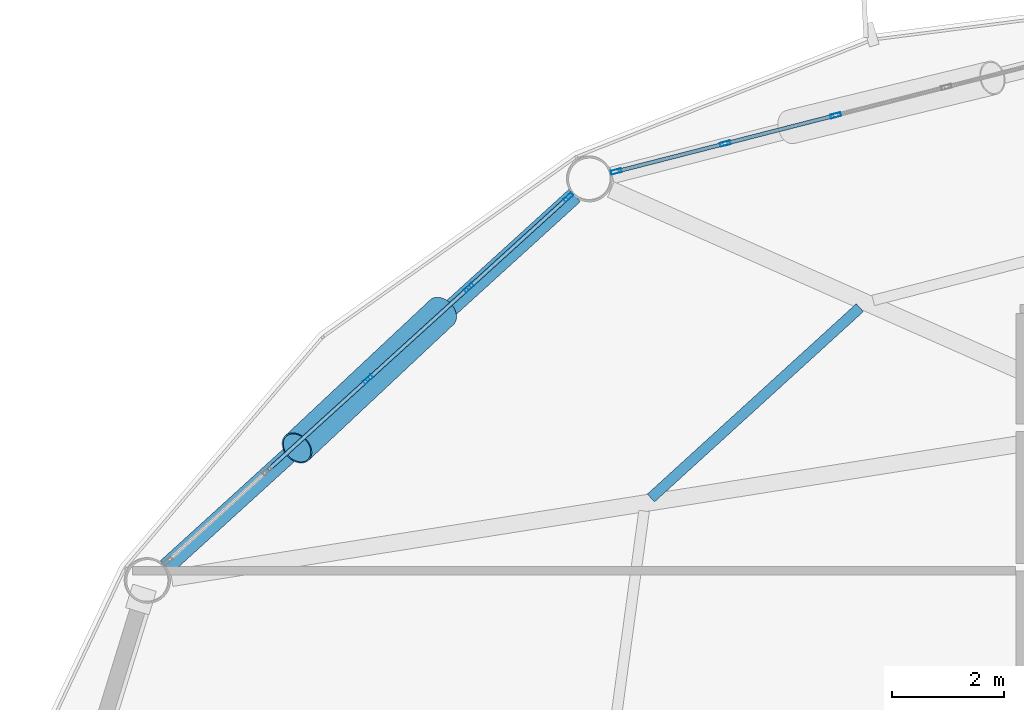
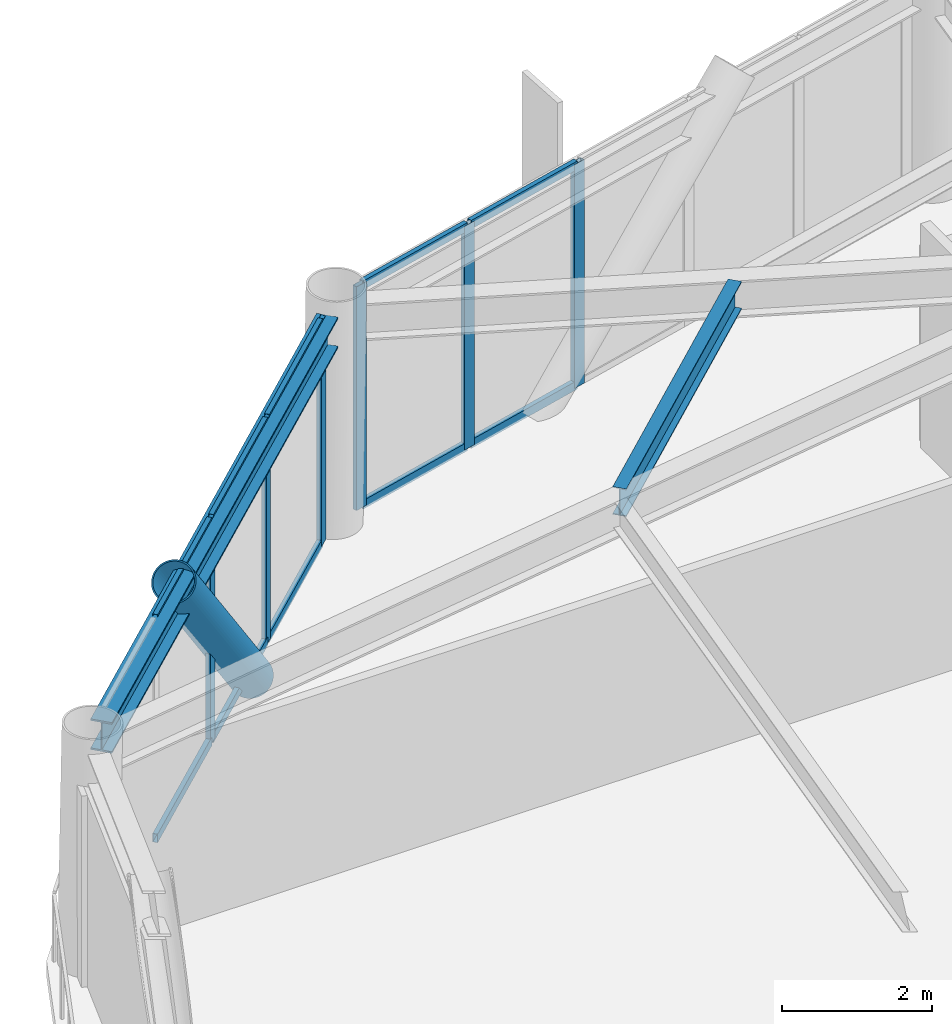
# One storey, part 15 of 25: 17 members, 2 beams, 2 elements without a shape of their own.
"""IFC4 building model written with IfcOpenShell, lengths in metres."""

from ifc_helpers import new_model, si_unit, direction, frame, origin, origin_2d, place, context, subcontext, project, spatial, hollow_rectangle, hollow_circle, i_section, extrude, material, layer, layer_set, material_profile, profile_set, type_object, element, aggregate, save


model = new_model("IFC4")

# Units and contexts
model_context = context("Model", 3, precision=1e-05, world=origin(), true_north=direction((0.0, 1.0)))
body_context = subcontext(model_context, "Body", "Model", "MODEL_VIEW")
ifc_project = project(units=[si_unit("LENGTHUNIT", "METRE"), si_unit("AREAUNIT", "SQUARE_METRE"), si_unit("VOLUMEUNIT", "CUBIC_METRE"), si_unit("PLANEANGLEUNIT", "RADIAN"), si_unit("MASSUNIT", "GRAM", prefix="KILO")], contexts=[model_context])

# Site, building, storey
site_placement = place(None, origin())
site = spatial("IfcSite", under=ifc_project, at=site_placement, CompositionType="ELEMENT")
building_placement = place(site_placement, origin())
building = spatial("IfcBuilding", under=site, at=building_placement, Name="Varnakorn Sky Granary", CompositionType="ELEMENT")
storey_placement = place(building_placement, frame((0.0, 0.0, 91.5)))
storey = spatial("IfcBuildingStorey", under=building, at=storey_placement, Name="L22", CompositionType="ELEMENT", Elevation=91.5)

# Beams
ifc_material_1 = material(Name="Steel S355JR", Category="steel")
ifc_material_profile_1 = material_profile(ifc_material_1, i_section(OverallWidth=0.18994140625, OverallDepth=0.449951171875, WebThickness=0.009521484375, FlangeThickness=0.0146484375, at=origin_2d()), Name="IPE 450")
ifc_profile_set_1 = profile_set([ifc_material_profile_1], Name="Steel S355JR")
beam_type_1 = type_object("IfcBeamType", Name="BM-SEC-Z2", PredefinedType="BEAM", material=ifc_profile_set_1)
beam_1_placement = place(storey_placement, frame((-7.471923828125, 14.71728515625, 3.4150390625), z_axis=(-0.739265666128, -0.673413895672, 0.0), x_axis=(0.673413895672, -0.739265666128, 0.0)))
element("IfcBeam", 1, at=beam_1_placement, inside=storey, type_object=beam_type_1, Name="Secondary Floor Chord Beam MSB05 L22", PredefinedType="BEAM", context=body_context, shape_type="SweptSolid", body=[
    extrude(i_section(OverallWidth=0.18994140625, OverallDepth=0.449951171875, WebThickness=0.009521484375, FlangeThickness=0.0146484375, at=origin_2d()), origin(), (0.0, 0.0, 1.0), 5.064453125),
])
ifc_material_profile_2 = material_profile(ifc_material_1, i_section(OverallWidth=0.300048828125, OverallDepth=0.5, WebThickness=0.014404296875, FlangeThickness=0.028076171875, at=origin_2d()), Name="HE 500 B")
ifc_profile_set_2 = profile_set([ifc_material_profile_2], Name="Steel S355JR")
beam_type_2 = type_object("IfcBeamType", Name="BM-SPD-Z2", PredefinedType="SPANDREL", material=ifc_profile_set_2)
beam_2_placement = place(storey_placement, frame((-12.580810546875, 16.72802734375, 3.389892578125), z_axis=(-0.739943423445, -0.672669108923, 0.0), x_axis=(0.672669108923, -0.739943423445, 0.0)))
element("IfcBeam", 2, at=beam_2_placement, inside=storey, type_object=beam_type_2, Name="Perimeter Spandrel Ring Beam RB05 L22", PredefinedType="SPANDREL", context=body_context, shape_type="SweptSolid", body=[
    extrude(i_section(OverallWidth=0.300048828125, OverallDepth=0.5, WebThickness=0.014404296875, FlangeThickness=0.028076171875, at=origin_2d()), origin(), (0.0, 0.0, 1.0), 9.892822265625),
])

# Curtain wall, members
ifc_material_2 = material(Name="Anodised Bronze Aluminium Alloy 6063-T6", Category="aluminium")
ifc_layer = layer(ifc_material_2, 0.18994140625, Name="Anodised Bronze Aluminium Alloy 6063-T6")
ifc_layer_set = layer_set([ifc_layer], Name="Anodised Bronze Aluminium Alloy 6063-T6")
curtain_wall_type = type_object("IfcCurtainWallType", Name="CW-FRM-1", PredefinedType="USERDEFINED", material=ifc_layer_set)
curtain_wall_1_placement = place(storey_placement, origin())
curtain_wall_1 = element("IfcCurtainWall", 3, at=curtain_wall_1_placement, inside=storey, type_object=curtain_wall_type, Name="Unitised Curtain Wall CW3 CW-L22-B04", ObjectType="CURTAIN WALL", PredefinedType="USERDEFINED")
ifc_material_profile_3 = material_profile(ifc_material_2, hollow_rectangle(XDim=0.070068359375, YDim=0.18505859375, WallThickness=0.00390625, at=origin_2d()), Name="ALU MULL 70x185")
ifc_profile_set_3 = profile_set([ifc_material_profile_3], Name="Anodised Bronze Aluminium Alloy 6063-T6")
member_type_1 = type_object("IfcMemberType", Name="CW-FRM-1-MULL", PredefinedType="MULLION", material=ifc_profile_set_3)
member_1_placement = place(storey_placement, frame((-11.838134765625, 17.156494140625, 0.0), z_axis=(0.0, 0.0, 1.0), x_axis=(-0.247904232144, 0.96878454348, 0.0)))
member_1 = element("IfcMember", 4, at=member_1_placement, type_object=member_type_1, Name="CW3 mullion 1", PredefinedType="MULLION", context=body_context, shape_type="SweptSolid", body=[
    extrude(hollow_rectangle(XDim=0.070068359375, YDim=0.18505859375, WallThickness=0.00390625, at=origin_2d()), origin(), (0.0, 0.0, 1.0), 3.639892578125),
])
member_2_placement = place(storey_placement, frame((-9.887939453125, 17.655517578125, 0.0), z_axis=(0.0, 0.0, 1.0), x_axis=(-0.247904232144, 0.96878454348, 0.0)))
member_2 = element("IfcMember", 5, at=member_2_placement, type_object=member_type_1, Name="CW3 mullion 2", PredefinedType="MULLION", context=body_context, shape_type="SweptSolid", body=[
    extrude(hollow_rectangle(XDim=0.070068359375, YDim=0.18505859375, WallThickness=0.00390625, at=origin_2d()), origin(), (0.0, 0.0, 1.0), 3.639892578125),
])
member_3_placement = place(storey_placement, frame((-7.904052734375, 18.1630859375, 0.0), z_axis=(0.0, 0.0, 1.0), x_axis=(-0.247904232144, 0.96878454348, 0.0)))
member_3 = element("IfcMember", 6, at=member_3_placement, type_object=member_type_1, Name="CW3 mullion 3", PredefinedType="MULLION", context=body_context, shape_type="SweptSolid", body=[
    extrude(hollow_rectangle(XDim=0.070068359375, YDim=0.18505859375, WallThickness=0.00390625, at=origin_2d()), origin(), (0.0, 0.0, 1.0), 3.639892578125),
])

curtain_wall_2_placement = place(storey_placement, origin())
curtain_wall_2 = element("IfcCurtainWall", 7, at=curtain_wall_2_placement, inside=storey, type_object=curtain_wall_type, Name="Unitised Curtain Wall CW3 CW-L22-B05", ObjectType="CURTAIN WALL", PredefinedType="USERDEFINED")
member_4_placement = place(storey_placement, frame((-16.285888671875, 13.432861328125, 0.0), z_axis=(0.0, 0.0, 1.0), x_axis=(-0.672429296104, 0.740161361962, 0.0)))
member_4 = element("IfcMember", 8, at=member_4_placement, type_object=member_type_1, Name="CW3 mullion 3", PredefinedType="MULLION", context=body_context, shape_type="SweptSolid", body=[
    extrude(hollow_rectangle(XDim=0.070068359375, YDim=0.18505859375, WallThickness=0.00390625, at=origin_2d()), origin(), (0.0, 0.0, 1.0), 3.639892578125),
])
member_5_placement = place(storey_placement, frame((-14.4775390625, 15.07568359375, 0.0), z_axis=(0.0, 0.0, 1.0), x_axis=(-0.672429296104, 0.740161361962, 0.0)))
member_5 = element("IfcMember", 9, at=member_5_placement, type_object=member_type_1, Name="CW3 mullion 4", PredefinedType="MULLION", context=body_context, shape_type="SweptSolid", body=[
    extrude(hollow_rectangle(XDim=0.070068359375, YDim=0.18505859375, WallThickness=0.00390625, at=origin_2d()), origin(), (0.0, 0.0, 1.0), 3.639892578125),
])
member_6_placement = place(storey_placement, frame((-12.6953125, 16.69482421875, 0.0), z_axis=(0.0, 0.0, 1.0), x_axis=(-0.672429296104, 0.740161361962, 0.0)))
member_6 = element("IfcMember", 10, at=member_6_placement, type_object=member_type_1, Name="CW3 mullion 5", PredefinedType="MULLION", context=body_context, shape_type="SweptSolid", body=[
    extrude(hollow_rectangle(XDim=0.070068359375, YDim=0.18505859375, WallThickness=0.00390625, at=origin_2d()), origin(), (0.0, 0.0, 1.0), 3.639892578125),
])

# Member
ifc_material_profile_4 = material_profile(ifc_material_2, hollow_rectangle(XDim=0.070068359375, YDim=0.139892578125, WallThickness=0.00341796875, at=origin_2d()), Name="ALU TRAN 70x140")
ifc_profile_set_4 = profile_set([ifc_material_profile_4], Name="Anodised Bronze Aluminium Alloy 6063-T6")
member_type_2 = type_object("IfcMemberType", Name="CW-FRM-1-TRAN", PredefinedType="USERDEFINED", material=ifc_profile_set_4)
member_7_placement = place(storey_placement, frame((-11.80419921875, 17.1650390625, 0.034912109375), z_axis=(0.968782354404, 0.247912786672, 0.0), x_axis=(-0.247912786672, 0.968782354404, 0.0)))
member_7 = element("IfcMember", 11, at=member_7_placement, type_object=member_type_2, Name="CW3 transom 1.1", ObjectType="TRANSOM", PredefinedType="USERDEFINED", context=body_context, shape_type="SweptSolid", body=[
    extrude(hollow_rectangle(XDim=0.070068359375, YDim=0.139892578125, WallThickness=0.00341796875, at=origin_2d()), origin(), (0.0, 0.0, 1.0), 1.94287109375),
])

member_8_placement = place(storey_placement, frame((-11.80419921875, 17.1650390625, 3.60498046875), z_axis=(0.968782354404, 0.247912786672, 0.0), x_axis=(-0.247912786672, 0.968782354404, 0.0)))
member_8 = element("IfcMember", 12, at=member_8_placement, type_object=member_type_2, Name="CW3 transom 1.2", ObjectType="TRANSOM", PredefinedType="USERDEFINED", context=body_context, shape_type="SweptSolid", body=[
    extrude(hollow_rectangle(XDim=0.070068359375, YDim=0.139892578125, WallThickness=0.00341796875, at=origin_2d()), origin(), (0.0, 0.0, 1.0), 1.94287109375),
])

member_9_placement = place(storey_placement, frame((-9.854248046875, 17.6640625, 0.034912109375), z_axis=(0.968769615209, 0.247962562996, 0.0), x_axis=(-0.247962562996, 0.968769615209, 0.0)))
member_9 = element("IfcMember", 13, at=member_9_placement, type_object=member_type_2, Name="CW3 transom 2.1", ObjectType="TRANSOM", PredefinedType="USERDEFINED", context=body_context, shape_type="SweptSolid", body=[
    extrude(hollow_rectangle(XDim=0.070068359375, YDim=0.139892578125, WallThickness=0.00341796875, at=origin_2d()), origin(), (0.0, 0.0, 1.0), 1.97802734375),
])

member_10_placement = place(storey_placement, frame((-9.854248046875, 17.6640625, 3.60498046875), z_axis=(0.968769615209, 0.247962562996, 0.0), x_axis=(-0.247962562996, 0.968769615209, 0.0)))
member_10 = element("IfcMember", 14, at=member_10_placement, type_object=member_type_2, Name="CW3 transom 2.2", ObjectType="TRANSOM", PredefinedType="USERDEFINED", context=body_context, shape_type="SweptSolid", body=[
    extrude(hollow_rectangle(XDim=0.070068359375, YDim=0.139892578125, WallThickness=0.00341796875, at=origin_2d()), origin(), (0.0, 0.0, 1.0), 1.97802734375),
])

aggregate(curtain_wall_1, [member_1, member_2, member_3, member_7, member_8, member_9, member_10])

member_11_placement = place(storey_placement, frame((-18.068115234375, 11.8134765625, 0.034912109375), z_axis=(0.740144875288, 0.672447442991, 0.0), x_axis=(-0.672447442991, 0.740144875288, 0.0)))
member_11 = element("IfcMember", 15, at=member_11_placement, type_object=member_type_2, Name="CW3 transom 2.1", ObjectType="TRANSOM", PredefinedType="USERDEFINED", context=body_context, shape_type="SweptSolid", body=[
    extrude(hollow_rectangle(XDim=0.070068359375, YDim=0.139892578125, WallThickness=0.00341796875, at=origin_2d()), origin(), (0.0, 0.0, 1.0), 2.373046875),
])

member_12_placement = place(storey_placement, frame((-18.068115234375, 11.8134765625, 3.60498046875), z_axis=(0.740144875288, 0.672447442991, 0.0), x_axis=(-0.672447442991, 0.740144875288, 0.0)))
member_12 = element("IfcMember", 16, at=member_12_placement, type_object=member_type_2, Name="CW3 transom 2.2", ObjectType="TRANSOM", PredefinedType="USERDEFINED", context=body_context, shape_type="SweptSolid", body=[
    extrude(hollow_rectangle(XDim=0.070068359375, YDim=0.139892578125, WallThickness=0.00341796875, at=origin_2d()), origin(), (0.0, 0.0, 1.0), 2.373046875),
])

member_13_placement = place(storey_placement, frame((-16.260009765625, 13.456298828125, 0.034912109375), z_axis=(0.740191392469, 0.672396239218, 0.0), x_axis=(-0.672396239218, 0.740191392469, 0.0)))
member_13 = element("IfcMember", 17, at=member_13_placement, type_object=member_type_2, Name="CW3 transom 3.1", ObjectType="TRANSOM", PredefinedType="USERDEFINED", context=body_context, shape_type="SweptSolid", body=[
    extrude(hollow_rectangle(XDim=0.070068359375, YDim=0.139892578125, WallThickness=0.00341796875, at=origin_2d()), origin(), (0.0, 0.0, 1.0), 2.373046875),
])

member_14_placement = place(storey_placement, frame((-16.260009765625, 13.456298828125, 3.60498046875), z_axis=(0.740191392469, 0.672396239218, 0.0), x_axis=(-0.672396239218, 0.740191392469, 0.0)))
member_14 = element("IfcMember", 18, at=member_14_placement, type_object=member_type_2, Name="CW3 transom 3.2", ObjectType="TRANSOM", PredefinedType="USERDEFINED", context=body_context, shape_type="SweptSolid", body=[
    extrude(hollow_rectangle(XDim=0.070068359375, YDim=0.139892578125, WallThickness=0.00341796875, at=origin_2d()), origin(), (0.0, 0.0, 1.0), 2.373046875),
])

member_15_placement = place(storey_placement, frame((-14.45166015625, 15.09912109375, 0.034912109375), z_axis=(0.740129039686, 0.672464872401, 0.0), x_axis=(-0.672464872401, 0.740129039686, 0.0)))
member_15 = element("IfcMember", 19, at=member_15_placement, type_object=member_type_2, Name="CW3 transom 4.1", ObjectType="TRANSOM", PredefinedType="USERDEFINED", context=body_context, shape_type="SweptSolid", body=[
    extrude(hollow_rectangle(XDim=0.070068359375, YDim=0.139892578125, WallThickness=0.00341796875, at=origin_2d()), origin(), (0.0, 0.0, 1.0), 2.338134765625),
])

member_16_placement = place(storey_placement, frame((-14.45166015625, 15.09912109375, 3.60498046875), z_axis=(0.740129039686, 0.672464872401, 0.0), x_axis=(-0.672464872401, 0.740129039686, 0.0)))
member_16 = element("IfcMember", 20, at=member_16_placement, type_object=member_type_2, Name="CW3 transom 4.2", ObjectType="TRANSOM", PredefinedType="USERDEFINED", context=body_context, shape_type="SweptSolid", body=[
    extrude(hollow_rectangle(XDim=0.070068359375, YDim=0.139892578125, WallThickness=0.00341796875, at=origin_2d()), origin(), (0.0, 0.0, 1.0), 2.338134765625),
])

aggregate(curtain_wall_2, [member_4, member_5, member_6, member_11, member_12, member_13, member_14, member_15, member_16])

ifc_material_3 = material(Name="Steel S460M", Category="steel")
ifc_material_profile_5 = material_profile(ifc_material_3, hollow_circle(Radius=0.304931640625, WallThickness=0.022216796875, at=origin_2d()), Name="CHS 610x22")
ifc_profile_set_5 = profile_set([ifc_material_profile_5], Name="Steel S460M")
member_type_3 = type_object("IfcMemberType", Name="MB-DIAG-T1", PredefinedType="BRACE", material=ifc_profile_set_5)
member_17_placement = place(storey_placement, frame((-14.965087890625, 14.632568359375, -0.1298828125), z_axis=(-0.490032666471, -0.459111411382, 0.74100249509), x_axis=(0.683707903953, -0.729755782486, 0.0)))
element("IfcMember", 21, at=member_17_placement, inside=storey, type_object=member_type_3, Name="Perimeter CHS Diagrid Brace DG05 L22", PredefinedType="BRACE", context=body_context, shape_type="SweptSolid", body=[
    extrude(hollow_circle(Radius=0.304931640625, WallThickness=0.022216796875, at=origin_2d()), origin(), (0.0, 0.0, 1.0), 5.2900390625),
])

save(model, "model.ifc")
